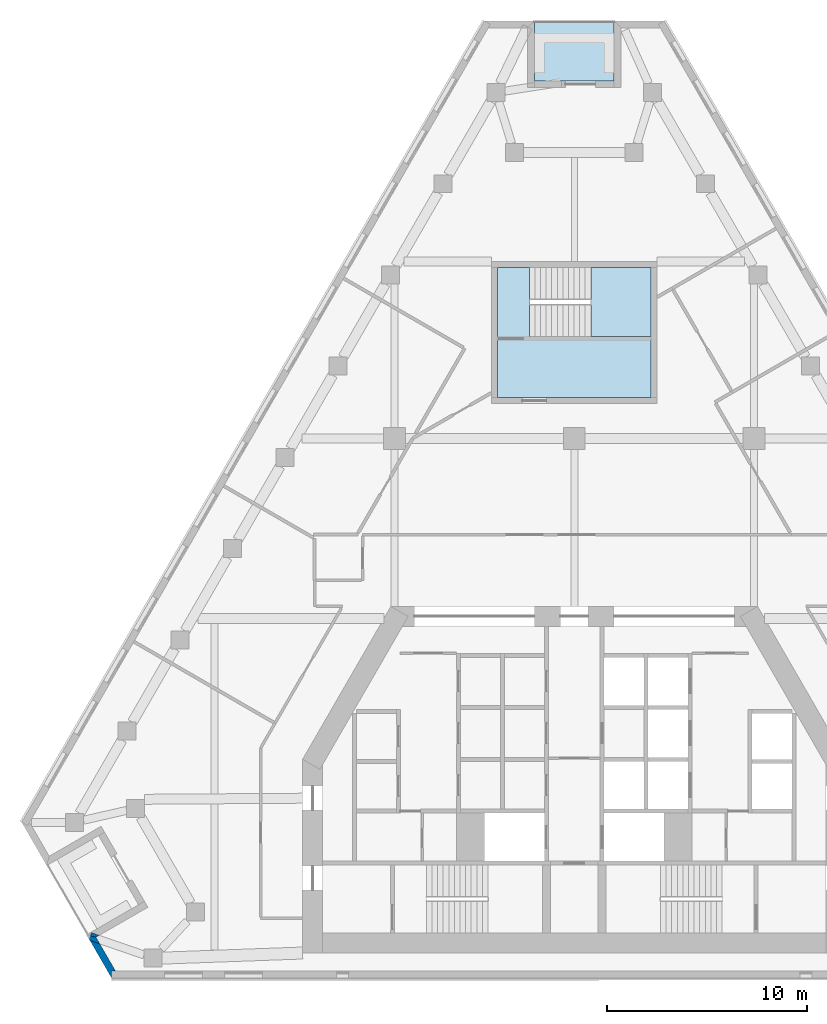
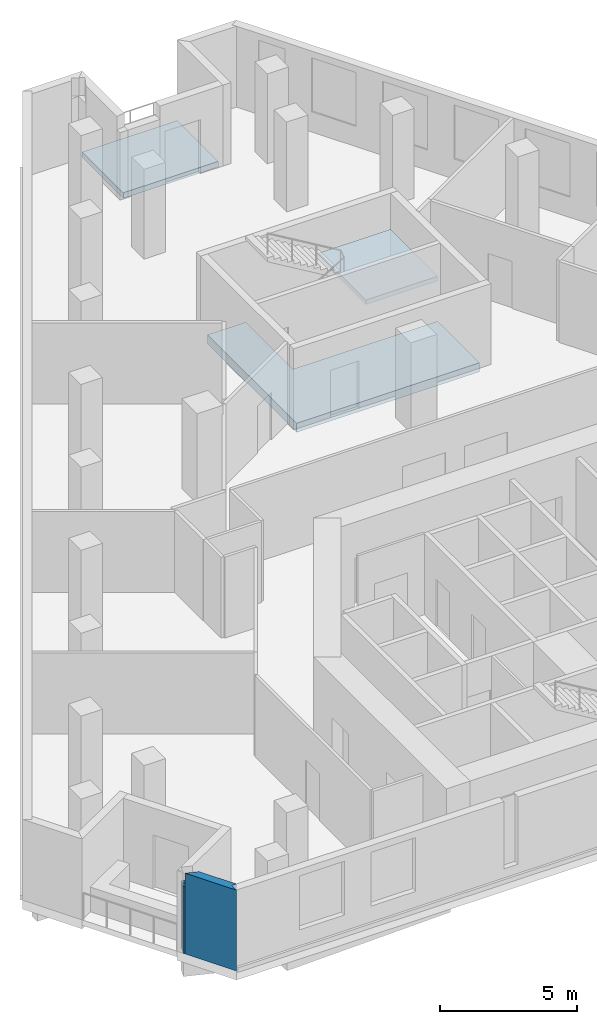
# One storey, part 2 of 9: 3 slabs, 3 walls, 1 element without a shape of its own.
"""IFC4 building model written with IfcOpenShell, lengths in metres."""

from ifc_helpers import new_model, si_unit, direction, frame, origin, place, context, subcontext, project, spatial, polyline, outline, extrude, material, layer, layer_set, type_object, element, aggregate, save


model = new_model("IFC4")

# Units and contexts
model_context = context("Model", 3, precision=1e-05, world=origin(), true_north=direction((0.0, 1.0)))
body_context = subcontext(model_context, "Body", "Model", "MODEL_VIEW")
ifc_project = project(units=[si_unit("LENGTHUNIT", "METRE"), si_unit("AREAUNIT", "SQUARE_METRE"), si_unit("VOLUMEUNIT", "CUBIC_METRE"), si_unit("PLANEANGLEUNIT", "RADIAN"), si_unit("MASSUNIT", "GRAM", prefix="KILO")], contexts=[model_context])

# Site, building, storey
site_placement = place(None, origin())
site = spatial("IfcSite", under=ifc_project, at=site_placement, CompositionType="ELEMENT")
building_placement = place(site_placement, origin())
building = spatial("IfcBuilding", under=site, at=building_placement, Name="Fogline Exchange Tower", CompositionType="ELEMENT")
storey_placement = place(building_placement, frame((0.0, 0.0, 194.10009765625)))
storey = spatial("IfcBuildingStorey", under=building, at=storey_placement, Name="L43", CompositionType="ELEMENT", Elevation=194.10009765625)

# Slabs
ifc_material_1 = material(Name="Concrete C40", Category="concrete")
ifc_layer_1 = layer(ifc_material_1, 0.25)
ifc_layer_set_1 = layer_set([ifc_layer_1], Name="DK1")
slab_type_1 = type_object("IfcSlabType", Name="DK1", PredefinedType="FLOOR", material=ifc_layer_set_1)
slab_1_placement = place(storey_placement, frame((0.0, 0.0, -0.25)))
element("IfcSlab", 1, at=slab_1_placement, inside=storey, type_object=slab_type_1, Name="Balcony L43 N", PredefinedType="FLOOR", context=body_context, shape_type="SweptSolid", body=[
    extrude(outline(polyline([(2.0, 47.90673828125), (-2.0, 47.90673828125), (-2.0, 44.90673828125), (2.0, 44.90673828125), (2.0, 47.90673828125)])), origin(), (0.0, 0.0, 1.0), 0.25),
])
ifc_layer_2 = layer(ifc_material_1, 0.39990234375)
ifc_layer_set_2 = layer_set([ifc_layer_2], Name="S03")
slab_type_2 = type_object("IfcSlabType", Name="S03", PredefinedType="FLOOR", material=ifc_layer_set_2)
slab_2_placement = place(storey_placement, frame((0.0, 0.0, -0.400146484375)))
element("IfcSlab", 2, at=slab_2_placement, inside=storey, type_object=slab_type_2, Name="Stair enclosure floor slab", PredefinedType="FLOOR", context=body_context, shape_type="SweptSolid", body=[
    extrude(outline(polyline([(3.85009765625, 29.056884765625), (-3.85009765625, 29.056884765625), (-3.85009765625, 35.556884765625), (-2.239990234375, 35.556884765625), (-2.239990234375, 32.10693359375), (3.85009765625, 32.10693359375), (3.85009765625, 29.056884765625)])), origin(), (0.0, 0.0, 1.0), 0.400146484375),
])

# Stair, slab
stair_type = type_object("IfcStairType", Name="STR24-1667", PredefinedType="HALF_TURN_STAIR", material=ifc_material_1)
stair_placement = place(storey_placement, origin())
stair = element("IfcStair", 3, at=stair_placement, inside=storey, type_object=stair_type, Name="Stair ST3", PredefinedType="HALF_TURN_STAIR")
ifc_layer_3 = layer(ifc_material_1, 0.199951171875)
ifc_layer_set_3 = layer_set([ifc_layer_3], Name="SL200")
slab_type_3 = type_object("IfcSlabType", Name="SL200", PredefinedType="LANDING", material=ifc_layer_set_3)
slab_3_placement = place(storey_placement, frame((0.0, 0.0, 1.7998046875)))
slab_3 = element("IfcSlab", 4, at=slab_3_placement, type_object=slab_type_3, Name="ST3 landing 1", PredefinedType="LANDING", context=body_context, shape_type="SweptSolid", body=[
    extrude(outline(polyline([(0.830078125, 32.10693359375), (3.85009765625, 32.10693359375), (3.85009765625, 35.556884765625), (0.830078125, 35.556884765625), (0.830078125, 32.10693359375)])), origin(), (0.0, 0.0, 1.0), 0.2001953125),
])
aggregate(stair, [slab_3])

# Walls
ifc_material_2 = material(Name="Brick masonry", Category="masonry")
ifc_layer_4 = layer(ifc_material_2, 0.340087890625)
ifc_layer_set_4 = layer_set([ifc_layer_4], Name="FW1")
wall_type = type_object("IfcWallType", Name="FW1", PredefinedType="SOLIDWALL", material=ifc_layer_set_4)
wall_1_placement = place(storey_placement, origin())
element("IfcWall", 5, at=wall_1_placement, inside=storey, type_object=wall_type, Name="Brick wall L43 SW-s2", PredefinedType="SOLIDWALL", context=body_context, shape_type="SweptSolid", body=[
    extrude(outline(polyline([(-23.9443359375, 2.0400390625), (-24.22900390625, 2.1162109375), (-24.17431640625, 2.274169921875), (-23.7763671875, 2.136962890625), (-23.9443359375, 2.0400390625)])), origin(), (0.0, 0.0, 1.0), 3.0),
])
wall_2_placement = place(storey_placement, origin())
element("IfcWall", 6, at=wall_2_placement, inside=storey, type_object=wall_type, Name="Brick wall L43 SW-c2", PredefinedType="SOLIDWALL", context=body_context, shape_type="SweptSolid", body=[
    extrude(outline(polyline([(-24.285888671875, 1.950927734375), (-24.228515625, 2.117431640625), (-23.944091796875, 2.041015625), (-23.75, 1.704833984375), (-24.24169921875, 1.87451171875), (-24.285888671875, 1.950927734375)])), origin(), (0.0, 0.0, 1.0), 3.0),
])
wall_3_placement = place(storey_placement, origin())
element("IfcWall", 7, at=wall_3_placement, inside=storey, type_object=wall_type, Name="Brick wall L43 SW-c2", PredefinedType="SOLIDWALL", context=body_context, shape_type="SweptSolid", body=[
    extrude(outline(polyline([(-23.158203125, 0.33935546875), (-23.158203125, -0.0009765625), (-23.158935546875, -0.001220703125), (-24.24169921875, 1.87451171875), (-23.75, 1.704833984375), (-22.961669921875, 0.33935546875), (-23.158203125, 0.33935546875)])), origin(), (0.0, 0.0, 1.0), 3.599853515625),
])

save(model, "model.ifc")
